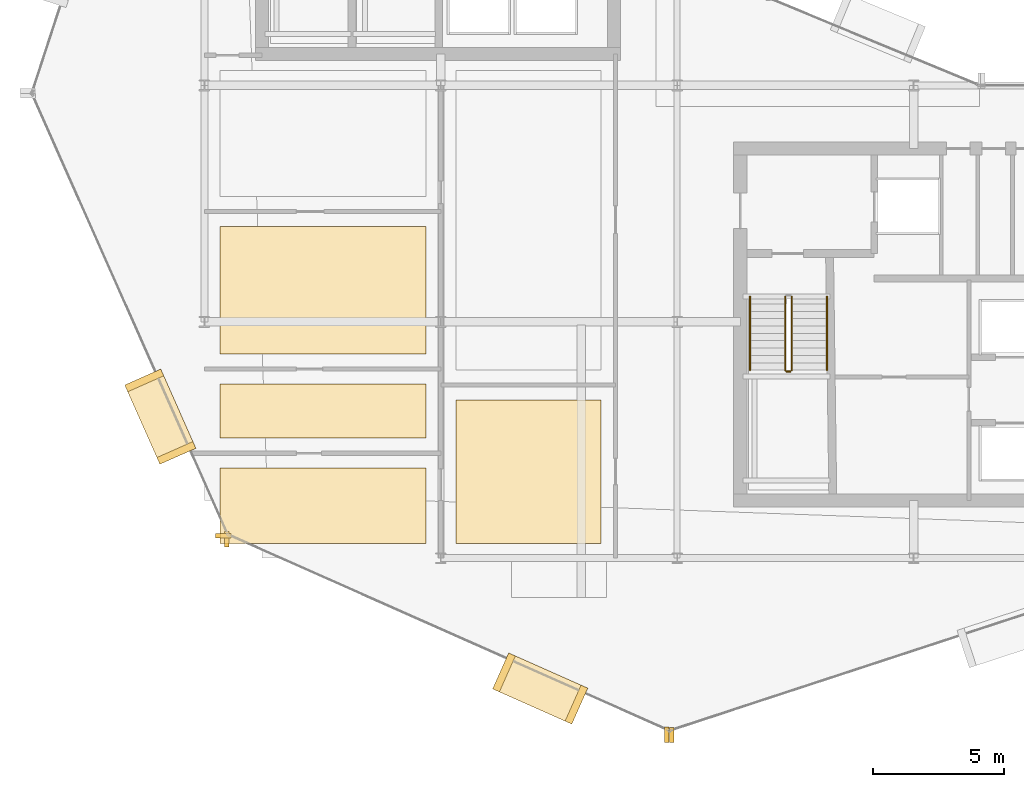
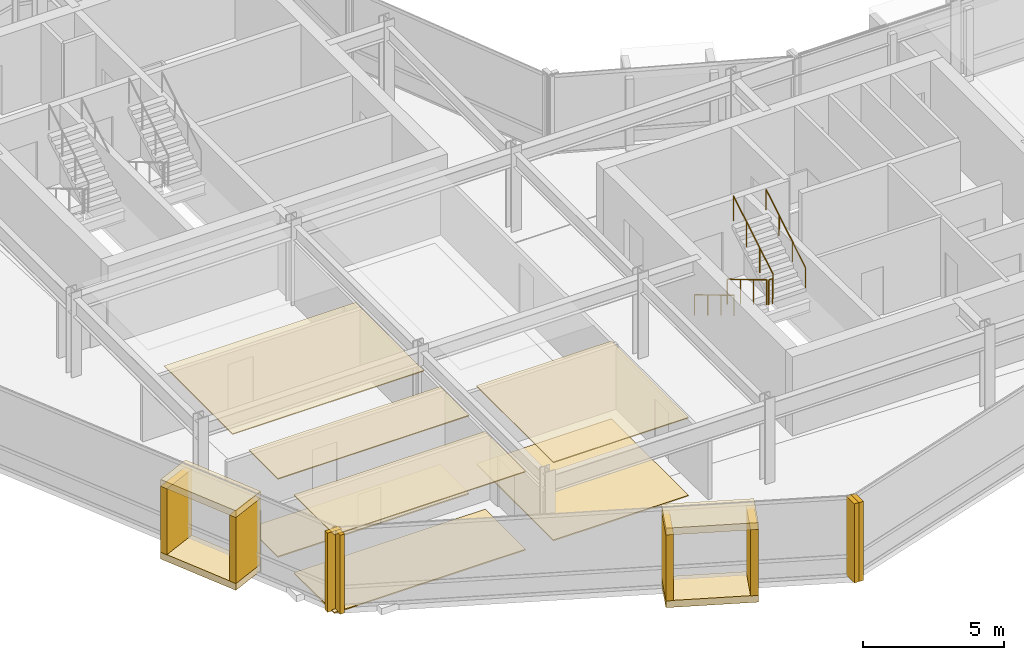
# One storey, part 22 of 27: 19 coverings, 5 railings.
"""IFC4 building model written with IfcOpenShell, lengths in metres."""

from ifc_helpers import new_model, si_unit, direction, frame, origin, origin_2d, place, context, subcontext, project, spatial, polyline, rectangle, circle, outline, extrude, material, layer, layer_set, type_object, element, save


model = new_model("IFC4")

# Units and contexts
model_context = context("Model", 3, precision=1e-05, world=origin(), true_north=direction((0.0, 1.0)))
body_context = subcontext(model_context, "Body", "Model", "MODEL_VIEW")
ifc_project = project(units=[si_unit("LENGTHUNIT", "METRE"), si_unit("AREAUNIT", "SQUARE_METRE"), si_unit("VOLUMEUNIT", "CUBIC_METRE"), si_unit("PLANEANGLEUNIT", "RADIAN"), si_unit("MASSUNIT", "GRAM", prefix="KILO")], contexts=[model_context])

# Site, building, storey
site_placement = place(None, origin())
site = spatial("IfcSite", under=ifc_project, at=site_placement, CompositionType="ELEMENT")
building_placement = place(site_placement, origin())
building = spatial("IfcBuilding", under=site, at=building_placement, Name="Solvaryn Broadcast Tower", CompositionType="ELEMENT")
storey_placement = place(building_placement, frame((0.0, 0.0, 181.60009765625)))
storey = spatial("IfcBuildingStorey", under=building, at=storey_placement, Name="L45", CompositionType="ELEMENT", Elevation=181.60009765625)

# Coverings
ifc_material_1 = material(Name="Micro-Perforated Acoustic Gypsum Ceiling", Category="concrete")
ifc_layer_1 = layer(ifc_material_1, 0.0400390625)
ifc_layer_set_1 = layer_set([ifc_layer_1], Name="CV-CEIL-ACOUSTIC")
covering_type_1 = type_object("IfcCoveringType", Name="CV-CEIL-ACOUSTIC", PredefinedType="CEILING", material=ifc_layer_set_1)
covering_1_placement = place(storey_placement, frame((0.0, 0.0, 3.3798828125)))
element("IfcCovering", 1, at=covering_1_placement, inside=storey, type_object=covering_type_1, Name="L45 Room Acoustic Ceiling 1", PredefinedType="CEILING", context=body_context, shape_type="SweptSolid", body=[
    extrude(outline(polyline([(18.570068359375, 9.570068359375), (24.10009765625, 9.570068359375), (24.10009765625, 15.030029296875), (18.570068359375, 15.030029296875), (18.570068359375, 9.570068359375)])), origin(), (0.0, 0.0, 1.0), 0.0400390625),
])
covering_2_placement = place(storey_placement, frame((0.0, 0.0, 3.3798828125)))
element("IfcCovering", 2, at=covering_2_placement, inside=storey, type_object=covering_type_1, Name="L45 Room Acoustic Ceiling 3", PredefinedType="CEILING", context=body_context, shape_type="SweptSolid", body=[
    extrude(outline(polyline([(9.60009765625, 9.570068359375), (17.429931640625, 9.570068359375), (17.429931640625, 12.429931640625), (9.60009765625, 12.429931640625), (9.60009765625, 9.570068359375)])), origin(), (0.0, 0.0, 1.0), 0.0400390625),
])
covering_3_placement = place(storey_placement, frame((0.0, 0.0, 3.3798828125)))
element("IfcCovering", 3, at=covering_3_placement, inside=storey, type_object=covering_type_1, Name="L45 Room Acoustic Ceiling 4", PredefinedType="CEILING", context=body_context, shape_type="SweptSolid", body=[
    extrude(outline(polyline([(9.60009765625, 13.570068359375), (17.429931640625, 13.570068359375), (17.429931640625, 15.6298828125), (9.60009765625, 15.6298828125), (9.60009765625, 13.570068359375)])), origin(), (0.0, 0.0, 1.0), 0.0400390625),
])
covering_4_placement = place(storey_placement, frame((0.0, 0.0, 3.3798828125)))
element("IfcCovering", 4, at=covering_4_placement, inside=storey, type_object=covering_type_1, Name="L45 Room Acoustic Ceiling 5", PredefinedType="CEILING", context=body_context, shape_type="SweptSolid", body=[
    extrude(outline(polyline([(9.60009765625, 16.77001953125), (17.429931640625, 16.77001953125), (17.429931640625, 21.6298828125), (9.60009765625, 21.6298828125), (9.60009765625, 16.77001953125)])), origin(), (0.0, 0.0, 1.0), 0.0400390625),
])
ifc_material_2 = material(Name="Newsroom Raised Data Access Flooring", Category="steel")
ifc_layer_2 = layer(ifc_material_2, 0.050048828125)
ifc_layer_set_2 = layer_set([ifc_layer_2], Name="CV-FLOOR-RAISED")
covering_type_2 = type_object("IfcCoveringType", Name="CV-FLOOR-RAISED", PredefinedType="FLOORING", material=ifc_layer_set_2)
covering_5_placement = place(storey_placement, origin())
element("IfcCovering", 5, at=covering_5_placement, inside=storey, type_object=covering_type_2, Name="L45 Room Acoustic Floor Finish 1", PredefinedType="FLOORING", context=body_context, shape_type="SweptSolid", body=[
    extrude(outline(polyline([(18.570068359375, 9.570068359375), (24.10009765625, 9.570068359375), (24.10009765625, 15.030029296875), (18.570068359375, 15.030029296875), (18.570068359375, 9.570068359375)])), origin(), (0.0, 0.0, 1.0), 0.0498046875),
])
covering_6_placement = place(storey_placement, origin())
element("IfcCovering", 6, at=covering_6_placement, inside=storey, type_object=covering_type_2, Name="L45 Room Acoustic Floor Finish 3", PredefinedType="FLOORING", context=body_context, shape_type="SweptSolid", body=[
    extrude(outline(polyline([(9.60009765625, 9.570068359375), (17.429931640625, 9.570068359375), (17.429931640625, 12.429931640625), (9.60009765625, 12.429931640625), (9.60009765625, 9.570068359375)])), origin(), (0.0, 0.0, 1.0), 0.0498046875),
])
covering_7_placement = place(storey_placement, origin())
element("IfcCovering", 7, at=covering_7_placement, inside=storey, type_object=covering_type_2, Name="L45 Room Acoustic Floor Finish 4", PredefinedType="FLOORING", context=body_context, shape_type="SweptSolid", body=[
    extrude(outline(polyline([(9.60009765625, 13.570068359375), (17.429931640625, 13.570068359375), (17.429931640625, 15.6298828125), (9.60009765625, 15.6298828125), (9.60009765625, 13.570068359375)])), origin(), (0.0, 0.0, 1.0), 0.0498046875),
])
ifc_material_3 = material(Name="Glazed Architectural Terracotta Rainscreen Cladding", Category="masonry")
ifc_layer_3 = layer(ifc_material_3, 0.280029296875)
ifc_layer_set_3 = layer_set([ifc_layer_3], Name="CV-TC-CLAD")
covering_type_3 = type_object("IfcCoveringType", Name="CV-TC-CLAD", PredefinedType="CLADDING", material=ifc_layer_set_3)
for number, where, z_axis, x_axis, name in (
    (8, (7.322998046875, 14.388916015625, 3.1298828125), (0.0, 0.0, 1.0), (0.405939269498, -0.913900054426, 0.0), "L45 Projecting Stone Window Box Hood 2"),
    (9, (7.322998046875, 14.388916015625, -0.01025390625), (0.0, 0.0, 1.0), (0.405939269498, -0.913900054426, 0.0), "L45 Projecting Stone Window Box Sill 2"),
):
    element("IfcCovering", number, at=place(storey_placement, frame(where, z_axis=z_axis, x_axis=x_axis)), inside=storey, type_object=covering_type_3, Name=name, PredefinedType="CLADDING", context=body_context, shape_type="SweptSolid", body=[
        extrude(rectangle(XDim=3.300048828125, YDim=1.5, at=origin_2d()), origin(), (0.0, 0.0, 1.0), 0.300048828125),
    ])
for number, where, z_axis, x_axis, name in (
    (10, (6.7099609375, 15.76904296875, 0.27978515625), (0.0, 0.0, 1.0), (0.405939269498, -0.913900054426, 0.0), "L45 Projecting Stone Window Box Cheek 2-1"),
    (11, (7.93603515625, 13.009033203125, 0.27978515625), (0.0, 0.0, 1.0), (0.405939269498, -0.913900054426, 0.0), "L45 Projecting Stone Window Box Cheek 2-2"),
):
    element("IfcCovering", number, at=place(storey_placement, frame(where, z_axis=z_axis, x_axis=x_axis)), inside=storey, type_object=covering_type_3, Name=name, PredefinedType="CLADDING", context=body_context, shape_type="SweptSolid", body=[
        extrude(rectangle(XDim=0.280029296875, YDim=1.5, at=origin_2d()), origin(), (0.0, 0.0, 1.0), 2.860107421875),
    ])
for number, where, z_axis, x_axis, name in (
    (12, (21.784912109375, 4.0390625, 3.1298828125), (0.0, 0.0, 1.0), (0.913900054426, -0.405939269498, 0.0), "L45 Projecting Stone Window Box Hood 3"),
    (13, (21.784912109375, 4.0390625, -0.01025390625), (0.0, 0.0, 1.0), (0.913900054426, -0.405939269498, 0.0), "L45 Projecting Stone Window Box Sill 3"),
):
    element("IfcCovering", number, at=place(storey_placement, frame(where, z_axis=z_axis, x_axis=x_axis)), inside=storey, type_object=covering_type_3, Name=name, PredefinedType="CLADDING", context=body_context, shape_type="SweptSolid", body=[
        extrude(rectangle(XDim=3.300048828125, YDim=1.5, at=origin_2d()), origin(), (0.0, 0.0, 1.0), 0.300048828125),
    ])
for number, where, z_axis, x_axis, name in (
    (14, (20.405029296875, 4.652099609375, 0.27978515625), (0.0, 0.0, 1.0), (0.913900054426, -0.405939269498, 0.0), "L45 Projecting Stone Window Box Cheek 3-1"),
    (15, (23.1650390625, 3.426025390625, 0.27978515625), (0.0, 0.0, 1.0), (0.913900054426, -0.405939269498, 0.0), "L45 Projecting Stone Window Box Cheek 3-2"),
):
    element("IfcCovering", number, at=place(storey_placement, frame(where, z_axis=z_axis, x_axis=x_axis)), inside=storey, type_object=covering_type_3, Name=name, PredefinedType="CLADDING", context=body_context, shape_type="SweptSolid", body=[
        extrude(rectangle(XDim=0.280029296875, YDim=1.5, at=origin_2d()), origin(), (0.0, 0.0, 1.0), 2.860107421875),
    ])
ifc_material_4 = material(Name="Extruded Architectural Terracotta Fin", Category="masonry")
ifc_layer_4 = layer(ifc_material_4, 0.179931640625)
ifc_layer_set_4 = layer_set([ifc_layer_4], Name="CV-TC-FIN")
covering_type_4 = type_object("IfcCoveringType", Name="CV-TC-FIN", PredefinedType="USERDEFINED", material=ifc_layer_set_4)
covering_8_placement = place(storey_placement, frame((9.7216796875, 9.852783203125, 0.0), z_axis=(0.0, 0.0, 1.0), x_axis=(1.0, 0.0, 0.0)))
element("IfcCovering", 16, at=covering_8_placement, inside=storey, type_object=covering_type_4, Name="L45 Terracotta Vertical Fin FIN-L45-DR2-M01", ObjectType="FIN", PredefinedType="USERDEFINED", context=body_context, shape_type="SweptSolid", body=[
    extrude(rectangle(XDim=0.580078125, YDim=0.179931640625, at=origin_2d()), origin(), (0.0, 0.0, 1.0), 3.419921875),
])
for number, where, z_axis, x_axis, name in (
    (17, (9.852783203125, 9.7216796875, 0.0), (0.0, 0.0, 1.0), (1.0, 0.0, 0.0), "L45 Terracotta Vertical Fin FIN-L45-DR3-M00"),
    (18, (26.605712890625, 2.281005859375, 0.0), (0.0, 0.0, 1.0), (1.0, 0.0, 0.0), "L45 Terracotta Vertical Fin FIN-L45-DR3-M01"),
    (19, (26.790771484375, 2.271240234375, 0.0), (0.0, 0.0, 1.0), (1.0, 0.0, 0.0), "L45 Terracotta Vertical Fin FIN-L45-DR4-M00"),
):
    element("IfcCovering", number, at=place(storey_placement, frame(where, z_axis=z_axis, x_axis=x_axis)), inside=storey, type_object=covering_type_4, Name=name, ObjectType="FIN", PredefinedType="USERDEFINED", context=body_context, shape_type="SweptSolid", body=[
        extrude(rectangle(XDim=0.179931640625, YDim=0.580078125, at=origin_2d()), origin(), (0.0, 0.0, 1.0), 3.419921875),
    ])

# Railings
ifc_material_5 = material(Name="Painted Steel Stair Well Guard", Category="steel")
railing_type_1 = type_object("IfcRailingType", Name="RL-STAIR-GUARD", PredefinedType="BALUSTRADE", material=ifc_material_5)
railing_1_placement = place(storey_placement, frame((31.110107421875, 18.9599609375, 0.16796875)))
element("IfcRailing", 20, at=railing_1_placement, inside=storey, type_object=railing_type_1, Name="L45 ST3 stair guard 1", PredefinedType="BALUSTRADE", context=body_context, shape_type="SweptSolid", body=[
    extrude(circle(Radius=0.02392578125, at=origin_2d()), frame((0.0, 0.0, 1.076171875), z_axis=(0.0, -0.857242210791, 0.514913383045), x_axis=(1.0, 0.0, 0.0)), (0.0, 0.0, 1.0), 3.266357421875),
    extrude(circle(Radius=0.02099609375, at=origin_2d()), origin(), (0.0, 0.0, 1.0), 1.052001953125),
    extrude(circle(Radius=0.02099609375, at=origin_2d()), frame((0.0, -0.933349609375, 0.560546875)), (0.0, 0.0, 1.0), 1.052001953125),
    extrude(circle(Radius=0.02099609375, at=origin_2d()), frame((0.0, -1.86669921875, 1.121337890625)), (0.0, 0.0, 1.0), 1.052001953125),
    extrude(circle(Radius=0.02099609375, at=origin_2d()), frame((0.0, -2.800048828125, 1.681884765625)), (0.0, 0.0, 1.0), 1.052001953125),
])
railing_2_placement = place(storey_placement, frame((31.159912109375, 16.110107421875, 1.849853515625)))
element("IfcRailing", 21, at=railing_2_placement, inside=storey, type_object=railing_type_1, Name="L45 ST3 stair guard 2", PredefinedType="BALUSTRADE", context=body_context, shape_type="SweptSolid", body=[
    extrude(circle(Radius=0.02392578125, at=origin_2d()), frame((0.0, 0.0, 1.076171875), z_axis=(1.0, 0.0, 0.0), x_axis=(0.0, 1.0, 0.0)), (0.0, 0.0, 1.0), 0.150146484375),
    extrude(circle(Radius=0.02099609375, at=origin_2d()), origin(), (0.0, 0.0, 1.0), 1.052001953125),
    extrude(circle(Radius=0.02099609375, at=origin_2d()), frame((0.150146484375, 0.0, 0.0)), (0.0, 0.0, 1.0), 1.052001953125),
])
railing_3_placement = place(storey_placement, frame((31.360107421875, 16.159912109375, 2.01806640625)))
element("IfcRailing", 22, at=railing_3_placement, inside=storey, type_object=railing_type_1, Name="L45 ST3 stair guard 3", PredefinedType="BALUSTRADE", context=body_context, shape_type="SweptSolid", body=[
    extrude(circle(Radius=0.02392578125, at=origin_2d()), frame((0.0, 0.0, 1.076171875), z_axis=(0.0, 0.857242210791, 0.514913383045), x_axis=(-1.0, 0.0, 0.0)), (0.0, 0.0, 1.0), 3.266357421875),
    extrude(circle(Radius=0.02099609375, at=origin_2d()), origin(), (0.0, 0.0, 1.0), 1.052001953125),
    extrude(circle(Radius=0.02099609375, at=origin_2d()), frame((0.0, 0.933349609375, 0.560546875)), (0.0, 0.0, 1.0), 1.052001953125),
    extrude(circle(Radius=0.02099609375, at=origin_2d()), frame((0.0, 1.86669921875, 1.121337890625)), (0.0, 0.0, 1.0), 1.052001953125),
    extrude(circle(Radius=0.02099609375, at=origin_2d()), frame((0.0, 2.800048828125, 1.681884765625)), (0.0, 0.0, 1.0), 1.052001953125),
])
ifc_material_6 = material(Name="Brushed Stainless Steel Tubular Handrail", Category="steel")
railing_type_2 = type_object("IfcRailingType", Name="RL-STAIR-HANDRAIL", PredefinedType="HANDRAIL", material=ifc_material_6)
railing_4_placement = place(storey_placement, frame((29.77001953125, 18.9599609375, 0.16796875)))
element("IfcRailing", 23, at=railing_4_placement, inside=storey, type_object=railing_type_2, Name="L45 ST3 stair handrail 1", PredefinedType="HANDRAIL", context=body_context, shape_type="SweptSolid", body=[
    extrude(circle(Radius=0.02392578125, at=origin_2d()), frame((0.0, 0.0, 0.8759765625), z_axis=(0.0, -0.857242210791, 0.514913383045), x_axis=(1.0, 0.0, 0.0)), (0.0, 0.0, 1.0), 3.266357421875),
    extrude(circle(Radius=0.02099609375, at=origin_2d()), origin(), (0.0, 0.0, 1.0), 0.851806640625),
    extrude(circle(Radius=0.02099609375, at=origin_2d()), frame((0.0, -0.933349609375, 0.560546875)), (0.0, 0.0, 1.0), 0.851806640625),
    extrude(circle(Radius=0.02099609375, at=origin_2d()), frame((0.0, -1.86669921875, 1.121337890625)), (0.0, 0.0, 1.0), 0.851806640625),
    extrude(circle(Radius=0.02099609375, at=origin_2d()), frame((0.0, -2.800048828125, 1.681884765625)), (0.0, 0.0, 1.0), 0.851806640625),
])
railing_5_placement = place(storey_placement, frame((32.699951171875, 16.159912109375, 2.01806640625)))
element("IfcRailing", 24, at=railing_5_placement, inside=storey, type_object=railing_type_2, Name="L45 ST3 stair handrail 2", PredefinedType="HANDRAIL", context=body_context, shape_type="SweptSolid", body=[
    extrude(circle(Radius=0.02392578125, at=origin_2d()), frame((0.0, 0.0, 0.8759765625), z_axis=(0.0, 0.857242210791, 0.514913383045), x_axis=(-1.0, 0.0, 0.0)), (0.0, 0.0, 1.0), 3.266357421875),
    extrude(circle(Radius=0.02099609375, at=origin_2d()), origin(), (0.0, 0.0, 1.0), 0.851806640625),
    extrude(circle(Radius=0.02099609375, at=origin_2d()), frame((0.0, 0.933349609375, 0.560546875)), (0.0, 0.0, 1.0), 0.851806640625),
    extrude(circle(Radius=0.02099609375, at=origin_2d()), frame((0.0, 1.86669921875, 1.121337890625)), (0.0, 0.0, 1.0), 0.851806640625),
    extrude(circle(Radius=0.02099609375, at=origin_2d()), frame((0.0, 2.800048828125, 1.681884765625)), (0.0, 0.0, 1.0), 0.851806640625),
])

save(model, "model.ifc")
